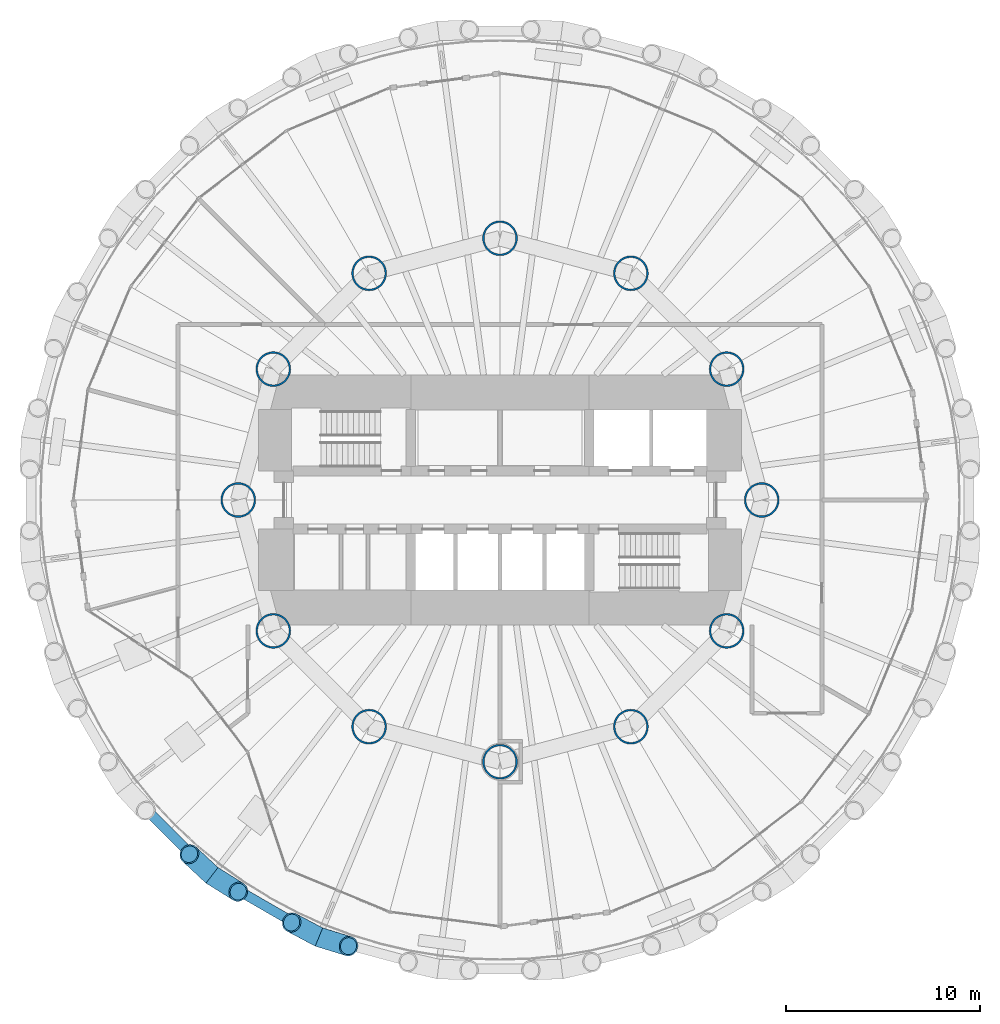
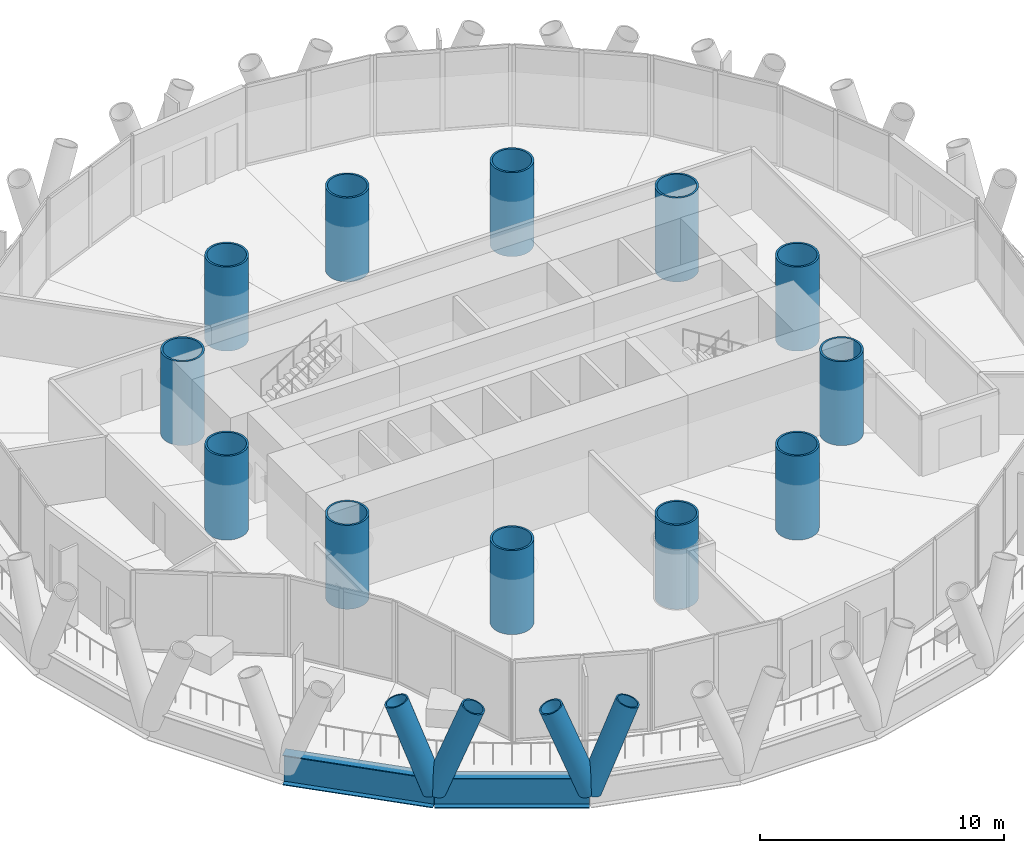
# One storey, part 1 of 14: 12 columns, 4 members, 2 beams.
"""IFC4 building model written with IfcOpenShell, lengths in metres."""

from ifc_helpers import new_model, si_unit, direction, frame, origin, origin_2d, place, context, subcontext, project, spatial, hollow_circle, i_section, extrude, material, material_profile, profile_set, type_object, element, save


model = new_model("IFC4")

# Units and contexts
model_context = context("Model", 3, precision=1e-05, world=origin(), true_north=direction((0.0, 1.0)))
body_context = subcontext(model_context, "Body", "Model", "MODEL_VIEW")
ifc_project = project(units=[si_unit("LENGTHUNIT", "METRE"), si_unit("AREAUNIT", "SQUARE_METRE"), si_unit("VOLUMEUNIT", "CUBIC_METRE"), si_unit("PLANEANGLEUNIT", "RADIAN"), si_unit("MASSUNIT", "GRAM", prefix="KILO")], contexts=[model_context])

# Site, building, storey
site_placement = place(None, origin())
site = spatial("IfcSite", under=ifc_project, at=site_placement, CompositionType="ELEMENT")
building_placement = place(site_placement, origin())
building = spatial("IfcBuilding", under=site, at=building_placement, Name="Qaws Media Tower", CompositionType="ELEMENT")
storey_placement = place(building_placement, frame((0.0, 0.0, 185.60009765625)))
storey = spatial("IfcBuildingStorey", under=building, at=storey_placement, Name="L42", CompositionType="ELEMENT", Elevation=185.60009765625)

# Columns
ifc_material_1 = material(Name="Steel S460", Category="steel")
ifc_material_profile_1 = material_profile(ifc_material_1, hollow_circle(Radius=0.89990234375, WallThickness=0.090087890625, at=origin_2d()), Name="CHS 1800x90")
ifc_profile_set_1 = profile_set([ifc_material_profile_1], Name="Steel S460")
column_type = type_object("IfcColumnType", Name="Inner column CHS 1800x90", PredefinedType="COLUMN", material=ifc_profile_set_1)
for number, where, z_axis, x_axis, name in (
    (1, (73.5, 50.0, 0.0), (0.0, 0.0, 1.0), (1.0, 0.0, 0.0), "C7 inner column I01 L42"),
    (2, (71.69140625, 56.75, 0.0), (0.0, 0.0, 1.0), (1.0, 0.0, 0.0), "C7 inner column I02 L42"),
    (3, (66.75, 61.69140625, 0.0), (0.0, 0.0, 1.0), (1.0, 0.0, 0.0), "C7 inner column I03 L42"),
    (4, (60.0, 63.5, 0.0), (0.0, 0.0, 1.0), (1.0, 0.0, 0.0), "C7 inner column I04 L42"),
    (5, (53.25, 61.69140625, 0.0), (0.0, 0.0, 1.0), (1.0, 0.0, 0.0), "C7 inner column I05 L42"),
    (6, (48.30859375, 56.75, 0.0), (0.0, 0.0, 1.0), (1.0, 0.0, 0.0), "C7 inner column I06 L42"),
    (7, (46.5, 50.0, 0.0), (0.0, 0.0, 1.0), (1.0, 0.0, 0.0), "C7 inner column I07 L42"),
    (8, (48.30859375, 43.25, 0.0), (0.0, 0.0, 1.0), (1.0, 0.0, 0.0), "C7 inner column I08 L42"),
    (9, (53.25, 38.30859375, 0.0), (0.0, 0.0, 1.0), (1.0, 0.0, 0.0), "C7 inner column I09 L42"),
    (10, (60.0, 36.5, 0.0), (0.0, 0.0, 1.0), (1.0, 0.0, 0.0), "C7 inner column I10 L42"),
    (11, (66.75, 38.30859375, 0.0), (0.0, 0.0, 1.0), (1.0, 0.0, 0.0), "C7 inner column I11 L42"),
    (12, (71.69140625, 43.25, 0.0), (0.0, 0.0, 1.0), (1.0, 0.0, 0.0), "C7 inner column I12 L42"),
):
    element("IfcColumn", number, at=place(storey_placement, frame(where, z_axis=z_axis, x_axis=x_axis)), inside=storey, type_object=column_type, Name=name, PredefinedType="COLUMN", context=body_context, shape_type="SweptSolid", body=[
        extrude(hollow_circle(Radius=0.89990234375, WallThickness=0.090087890625, at=origin_2d()), origin(), (0.0, 0.0, 1.0), 4.199951171875),
    ])

# Members
ifc_material_2 = material(Name="Steel S460", Category="steel")
ifc_material_profile_2 = material_profile(ifc_material_2, hollow_circle(Radius=0.508056640625, WallThickness=0.070068359375, at=origin_2d()), Name="CHS 1016x70")
ifc_profile_set_2 = profile_set([ifc_material_profile_2], Name="Steel S460")
member_type = type_object("IfcMemberType", Name="Diagrid member CHS 1016x70", PredefinedType="USERDEFINED", material=ifc_profile_set_2)
for number, where, z_axis, x_axis, name in (
    (13, (45.146240234375, 30.64208984375, -0.91015625), (0.301236241932, -0.188489993373, 0.934734319978), (0.530438694672, 0.847723298721, 0.0), "DG3 diagrid L42 A16"),
    (14, (45.146240234375, 30.64208984375, -0.91015625), (-0.260049614354, 0.242173240947, 0.934733287865), (-0.68150607929, -0.731812451309, 0.0), "DG3 diagrid L42 B16"),
    (15, (50.66259765625, 27.457275390625, -0.91015625), (0.339711490552, -0.104108639779, 0.934749963525), (0.293011030159, 0.956109060832, 0.0), "DG3 diagrid L42 A17"),
    (16, (50.66259765625, 27.457275390625, -0.91015625), (-0.313842658324, 0.166647408774, 0.934736019936), (-0.468976335573, -0.883210731747, 0.0), "DG3 diagrid L42 B17"),
):
    element("IfcMember", number, at=place(storey_placement, frame(where, z_axis=z_axis, x_axis=x_axis)), inside=storey, type_object=member_type, Name=name, ObjectType="DIAGRID", PredefinedType="USERDEFINED", context=body_context, shape_type="SweptSolid", body=[
        extrude(hollow_circle(Radius=0.508056640625, WallThickness=0.070068359375, at=origin_2d()), origin(), (0.0, 0.0, 1.0), 4.4931640625),
    ])

# Beams
ifc_material_3 = material(Name="Steel S460", Category="steel")
ifc_material_profile_3 = material_profile(ifc_material_3, i_section(OverallWidth=0.5, OverallDepth=1.5, WebThickness=0.02001953125, FlangeThickness=0.0400390625, at=origin_2d()), Name="PG 1500x500")
ifc_profile_set_3 = profile_set([ifc_material_profile_3], Name="Steel S460")
beam_type = type_object("IfcBeamType", Name="Edge ring beam PG 1500x500", PredefinedType="BEAM", material=ifc_profile_set_3)
beam_1_placement = place(storey_placement, frame((40.64208984375, 35.146240234375, -0.91015625), z_axis=(0.707106781187, -0.707106781187, 0.0), x_axis=(0.707106781187, 0.707106781187, 0.0)))
element("IfcBeam", 17, at=beam_1_placement, inside=storey, type_object=beam_type, Name="RB4 edge ring beam L42-15", PredefinedType="BEAM", context=body_context, shape_type="SweptSolid", body=[
    extrude(i_section(OverallWidth=0.5, OverallDepth=1.5, WebThickness=0.02001953125, FlangeThickness=0.0400390625, at=origin_2d()), origin(), (0.0, 0.0, 1.0), 6.369873046875),
])
beam_2_placement = place(storey_placement, frame((45.146240234375, 30.64208984375, -0.91015625), z_axis=(0.866029209911, -0.499993407537, 0.0), x_axis=(0.499993407537, 0.866029209911, 0.0)))
element("IfcBeam", 18, at=beam_2_placement, inside=storey, type_object=beam_type, Name="RB4 edge ring beam L42-16", PredefinedType="BEAM", context=body_context, shape_type="SweptSolid", body=[
    extrude(i_section(OverallWidth=0.5, OverallDepth=1.5, WebThickness=0.02001953125, FlangeThickness=0.0400390625, at=origin_2d()), origin(), (0.0, 0.0, 1.0), 6.36962890625),
])

save(model, "model.ifc")
